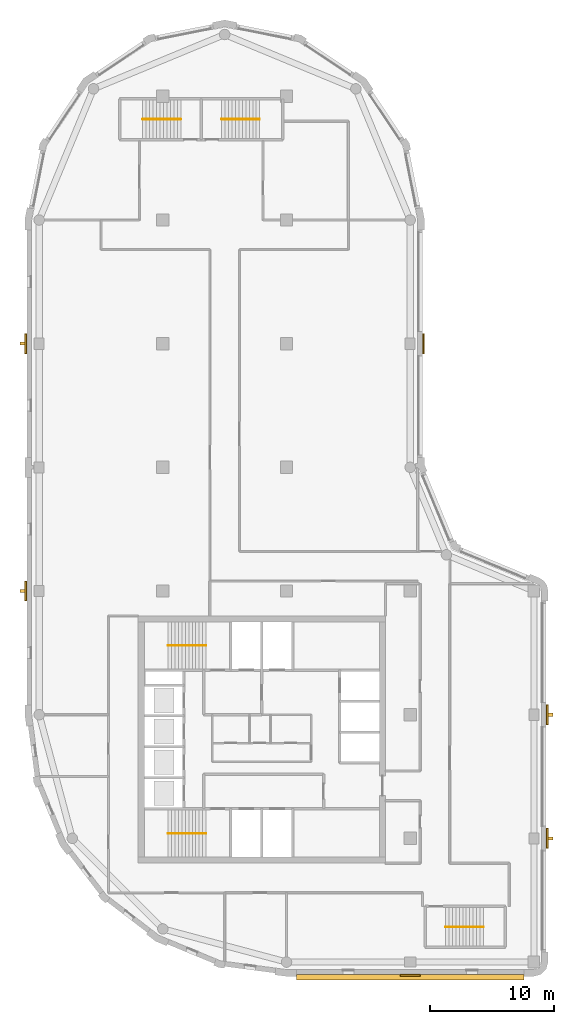
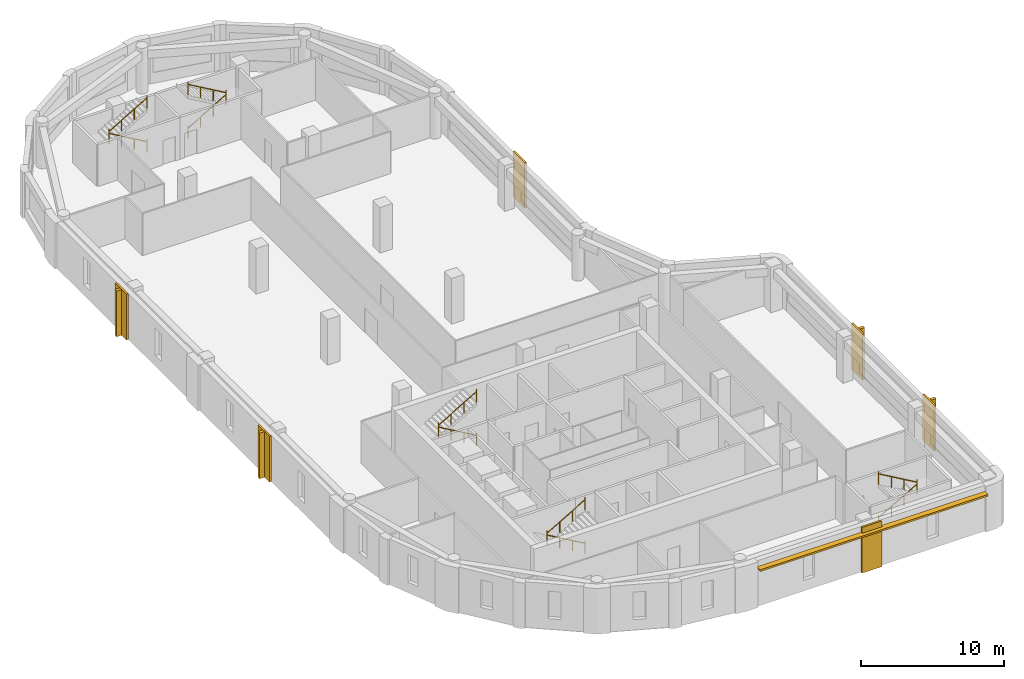
# One storey, part 7 of 8: 10 railings, 6 coverings, 5 shading devices.
"""IFC4 building model written with IfcOpenShell, lengths in metres."""

from ifc_helpers import new_model, si_unit, direction, frame, origin, origin_2d, place, context, subcontext, project, spatial, polyline, rectangle, circle, outline, extrude, material, layer, layer_set, type_object, element, save


model = new_model("IFC4")

# Units and contexts
model_context = context("Model", 3, precision=1e-05, world=origin(), true_north=direction((0.0, 1.0)))
body_context = subcontext(model_context, "Body", "Model", "MODEL_VIEW")
ifc_project = project(units=[si_unit("LENGTHUNIT", "METRE"), si_unit("AREAUNIT", "SQUARE_METRE"), si_unit("VOLUMEUNIT", "CUBIC_METRE"), si_unit("PLANEANGLEUNIT", "RADIAN"), si_unit("MASSUNIT", "GRAM", prefix="KILO")], contexts=[model_context])

# Site, building, storey
site_placement = place(None, origin())
site = spatial("IfcSite", under=ifc_project, at=site_placement, CompositionType="ELEMENT")
building_placement = place(site_placement, origin())
building = spatial("IfcBuilding", under=site, at=building_placement, Name="Qaws Garden Tower", CompositionType="ELEMENT")
storey_placement = place(building_placement, frame((0.0, 0.0, 282.60009765625)))
storey = spatial("IfcBuildingStorey", under=building, at=storey_placement, Name="L68", CompositionType="ELEMENT", Elevation=282.60009765625)

# Coverings
ifc_material_1 = material(Name="Clay facing brick masonry", Category="masonry")
ifc_layer_1 = layer(ifc_material_1, 0.14990234375)
ifc_layer_set_1 = layer_set([ifc_layer_1], Name="Clay facing brick masonry")
covering_type = type_object("IfcCoveringType", Name="Brick pilaster facing 150 x 1600", PredefinedType="CLADDING", material=ifc_layer_set_1)
placement = place(storey_placement, origin())
element("IfcCovering", 1, at=placement, inside=storey, type_object=covering_type, Name="E-L68-pier-01", PredefinedType="CLADDING", context=body_context, shape_type="SweptSolid", body=[
    extrude(outline(polyline([(29.199951171875, -1.0), (30.800048828125, -1.0), (30.800048828125, -1.14990234375), (29.199951171875, -1.14990234375), (29.199951171875, -1.0)])), origin(), (0.0, 0.0, 1.0), 3.89990234375),
])
element("IfcCovering", 2, at=placement, inside=storey, type_object=covering_type, Name="E-L68-pier-03", PredefinedType="CLADDING", context=body_context, shape_type="SweptSolid", body=[
    extrude(outline(polyline([(41.0, 9.199951171875), (41.0, 10.800048828125), (41.14990234375, 10.800048828125), (41.14990234375, 9.199951171875), (41.0, 9.199951171875)])), origin(), (0.0, 0.0, 1.0), 3.89990234375),
])
element("IfcCovering", 3, at=placement, inside=storey, type_object=covering_type, Name="E-L68-pier-04", PredefinedType="CLADDING", context=body_context, shape_type="SweptSolid", body=[
    extrude(outline(polyline([(41.0, 19.199951171875), (41.0, 20.800048828125), (41.14990234375, 20.800048828125), (41.14990234375, 19.199951171875), (41.0, 19.199951171875)])), origin(), (0.0, 0.0, 1.0), 3.89990234375),
])
element("IfcCovering", 4, at=placement, inside=storey, type_object=covering_type, Name="E-L68-pier-08", PredefinedType="CLADDING", context=body_context, shape_type="SweptSolid", body=[
    extrude(outline(polyline([(31.0, 49.199951171875), (31.0, 50.800048828125), (31.14990234375, 50.800048828125), (31.14990234375, 49.199951171875), (31.0, 49.199951171875)])), origin(), (0.0, 0.0, 1.0), 3.89990234375),
])
element("IfcCovering", 5, at=placement, inside=storey, type_object=covering_type, Name="E-L68-pier-18", PredefinedType="CLADDING", context=body_context, shape_type="SweptSolid", body=[
    extrude(outline(polyline([(-1.0, 50.800048828125), (-1.0, 49.199951171875), (-1.14990234375, 49.199951171875), (-1.14990234375, 50.800048828125), (-1.0, 50.800048828125)])), origin(), (0.0, 0.0, 1.0), 3.89990234375),
])
element("IfcCovering", 6, at=placement, inside=storey, type_object=covering_type, Name="E-L68-pier-20", PredefinedType="CLADDING", context=body_context, shape_type="SweptSolid", body=[
    extrude(outline(polyline([(-1.0, 30.800048828125), (-1.0, 29.199951171875), (-1.14990234375, 29.199951171875), (-1.14990234375, 30.800048828125), (-1.0, 30.800048828125)])), origin(), (0.0, 0.0, 1.0), 3.89990234375),
])

# Shading devices
ifc_material_2 = material(Name="Clay facing brick masonry", Category="masonry")
ifc_layer_2 = layer(ifc_material_2, 0.14990234375)
ifc_layer_set_2 = layer_set([ifc_layer_2], Name="Clay facing brick masonry")
shading_device_type_1 = type_object("IfcShadingDeviceType", Name="Brick sunshade band 450 x 150", PredefinedType="JALOUSIE", material=ifc_layer_set_2)
shading_device_placement = place(storey_placement, frame((0.0, 0.0, 3.25)))
element("IfcShadingDevice", 7, at=shading_device_placement, inside=storey, type_object=shading_device_type_1, Name="SUNSHADE 00", PredefinedType="JALOUSIE", context=body_context, shape_type="SweptSolid", body=[
    extrude(outline(polyline([(20.800048828125, -1.0), (20.800048828125, -1.449951171875), (39.199951171875, -1.449951171875), (39.199951171875, -1.0), (30.800048828125, -1.0), (30.800048828125, -1.14990234375), (29.199951171875, -1.14990234375), (29.199951171875, -1.0), (20.800048828125, -1.0)])), origin(), (0.0, 0.0, 1.0), 0.14990234375),
])
ifc_material_3 = material(Name="Clay facing brick masonry", Category="masonry")
ifc_layer_3 = layer(ifc_material_3, 0.25)
ifc_layer_set_3 = layer_set([ifc_layer_3], Name="Clay facing brick masonry")
shading_device_type_2 = type_object("IfcShadingDeviceType", Name="Brick-faced fin 250 x 400", PredefinedType="USERDEFINED", material=ifc_layer_set_3)
for number, where, z_axis, x_axis, name in (
    (8, (41.35009765625, 10.0, 0.0), (0.0, 0.0, 1.0), (0.0, 1.0, 0.0), "FIN 03"),
    (9, (41.35009765625, 20.0, 0.0), (0.0, 0.0, 1.0), (0.0, 1.0, 0.0), "FIN 04"),
    (10, (-1.35009765625, 50.0, 0.0), (0.0, 0.0, 1.0), (0.0, -1.0, 0.0), "FIN 18"),
    (11, (-1.35009765625, 30.0, 0.0), (0.0, 0.0, 1.0), (0.0, -1.0, 0.0), "FIN 20"),
):
    element("IfcShadingDevice", number, at=place(storey_placement, frame(where, z_axis=z_axis, x_axis=x_axis)), inside=storey, type_object=shading_device_type_2, Name=name, ObjectType="FIN", PredefinedType="USERDEFINED", context=body_context, shape_type="SweptSolid", body=[
        extrude(rectangle(XDim=0.25, YDim=0.39990234375, at=origin_2d()), origin(), (0.0, 0.0, 1.0), 3.89990234375),
    ])

# Railings
ifc_material_4 = material(Name="Steel S355", Category="steel")
railing_type = type_object("IfcRailingType", Name="Stair handrail 900", PredefinedType="HANDRAIL", material=ifc_material_4)
railing_1_placement = place(storey_placement, frame((13.5, 10.39990234375, 0.162353515625)))
element("IfcRailing", 12, at=railing_1_placement, inside=storey, type_object=railing_type, Name="Stair 1 handrail", PredefinedType="HANDRAIL", context=body_context, shape_type="SweptSolid", body=[
    extrude(circle(Radius=0.02392578125, at=origin_2d()), frame((0.0, 0.0, 0.8759765625), z_axis=(-0.864890721111, 0.0, 0.501960198159), x_axis=(0.0, -1.0, 0.0)), (0.0, 0.0, 1.0), 3.561279296875),
    extrude(circle(Radius=0.02099609375, at=origin_2d()), origin(), (0.0, 0.0, 1.0), 1.06201171875),
    extrude(circle(Radius=0.02099609375, at=origin_2d()), frame((-1.026611328125, 0.0, 0.595947265625)), (0.0, 0.0, 1.0), 0.851806640625),
    extrude(circle(Radius=0.02099609375, at=origin_2d()), frame((-2.053466796875, 0.0, 1.191650390625)), (0.0, 0.0, 1.0), 0.851806640625),
    extrude(circle(Radius=0.02099609375, at=origin_2d()), frame((-3.080078125, 0.0, 1.78759765625)), (0.0, 0.0, 1.0), 1.06201171875),
])
railing_2_placement = place(storey_placement, frame((10.419921875, 10.39990234375, 2.1123046875)))
element("IfcRailing", 13, at=railing_2_placement, inside=storey, type_object=railing_type, Name="Stair 1 handrail", PredefinedType="HANDRAIL", context=body_context, shape_type="SweptSolid", body=[
    extrude(circle(Radius=0.02392578125, at=origin_2d()), frame((0.0, 0.0, 0.8759765625), z_axis=(0.864890721111, 0.0, 0.501960198159), x_axis=(0.0, 1.0, 0.0)), (0.0, 0.0, 1.0), 3.561279296875),
    extrude(circle(Radius=0.02099609375, at=origin_2d()), origin(), (0.0, 0.0, 1.0), 1.06201171875),
    extrude(circle(Radius=0.02099609375, at=origin_2d()), frame((1.026611328125, 0.0, 0.595947265625)), (0.0, 0.0, 1.0), 0.851806640625),
    extrude(circle(Radius=0.02099609375, at=origin_2d()), frame((2.053466796875, 0.0, 1.191650390625)), (0.0, 0.0, 1.0), 0.851806640625),
    extrude(circle(Radius=0.02099609375, at=origin_2d()), frame((3.080078125, 0.0, 1.78759765625)), (0.0, 0.0, 1.0), 1.06201171875),
])
railing_3_placement = place(storey_placement, frame((13.5, 25.60009765625, 0.162353515625)))
element("IfcRailing", 14, at=railing_3_placement, inside=storey, type_object=railing_type, Name="Stair 4 handrail", PredefinedType="HANDRAIL", context=body_context, shape_type="SweptSolid", body=[
    extrude(circle(Radius=0.02392578125, at=origin_2d()), frame((0.0, 0.0, 0.8759765625), z_axis=(-0.864890721111, 0.0, 0.501960198159), x_axis=(0.0, -1.0, 0.0)), (0.0, 0.0, 1.0), 3.561279296875),
    extrude(circle(Radius=0.02099609375, at=origin_2d()), origin(), (0.0, 0.0, 1.0), 1.06201171875),
    extrude(circle(Radius=0.02099609375, at=origin_2d()), frame((-1.026611328125, 0.0, 0.595947265625)), (0.0, 0.0, 1.0), 0.851806640625),
    extrude(circle(Radius=0.02099609375, at=origin_2d()), frame((-2.053466796875, 0.0, 1.191650390625)), (0.0, 0.0, 1.0), 0.851806640625),
    extrude(circle(Radius=0.02099609375, at=origin_2d()), frame((-3.080078125, 0.0, 1.78759765625)), (0.0, 0.0, 1.0), 1.06201171875),
])
railing_4_placement = place(storey_placement, frame((10.419921875, 25.60009765625, 2.1123046875)))
element("IfcRailing", 15, at=railing_4_placement, inside=storey, type_object=railing_type, Name="Stair 4 handrail", PredefinedType="HANDRAIL", context=body_context, shape_type="SweptSolid", body=[
    extrude(circle(Radius=0.02392578125, at=origin_2d()), frame((0.0, 0.0, 0.8759765625), z_axis=(0.864890721111, 0.0, 0.501960198159), x_axis=(0.0, 1.0, 0.0)), (0.0, 0.0, 1.0), 3.561279296875),
    extrude(circle(Radius=0.02099609375, at=origin_2d()), origin(), (0.0, 0.0, 1.0), 1.06201171875),
    extrude(circle(Radius=0.02099609375, at=origin_2d()), frame((1.026611328125, 0.0, 0.595947265625)), (0.0, 0.0, 1.0), 0.851806640625),
    extrude(circle(Radius=0.02099609375, at=origin_2d()), frame((2.053466796875, 0.0, 1.191650390625)), (0.0, 0.0, 1.0), 0.851806640625),
    extrude(circle(Radius=0.02099609375, at=origin_2d()), frame((3.080078125, 0.0, 1.78759765625)), (0.0, 0.0, 1.0), 1.06201171875),
])
railing_5_placement = place(storey_placement, frame((32.85009765625, 2.85009765625, 0.162353515625)))
element("IfcRailing", 16, at=railing_5_placement, inside=storey, type_object=railing_type, Name="Stair 5 handrail", PredefinedType="HANDRAIL", context=body_context, shape_type="SweptSolid", body=[
    extrude(circle(Radius=0.02392578125, at=origin_2d()), frame((0.0, 0.0, 0.8759765625), z_axis=(0.864873446163, 0.0, 0.501989962173), x_axis=(0.0, 1.0, 0.0)), (0.0, 0.0, 1.0), 3.56103515625),
    extrude(circle(Radius=0.02099609375, at=origin_2d()), origin(), (0.0, 0.0, 1.0), 1.06201171875),
    extrude(circle(Radius=0.02099609375, at=origin_2d()), frame((1.026611328125, 0.0, 0.595947265625)), (0.0, 0.0, 1.0), 0.851806640625),
    extrude(circle(Radius=0.02099609375, at=origin_2d()), frame((2.05322265625, 0.0, 1.191650390625)), (0.0, 0.0, 1.0), 0.851806640625),
    extrude(circle(Radius=0.02099609375, at=origin_2d()), frame((3.079833984375, 0.0, 1.78759765625)), (0.0, 0.0, 1.0), 1.06201171875),
])
for number, where, name in (
    (17, (35.929931640625, 2.85009765625, 2.1123046875), "Stair 5 handrail"),
    (18, (11.449951171875, 68.14990234375, 0.162353515625), "Stair 6 handrail"),
):
    element("IfcRailing", number, at=place(storey_placement, frame(where)), inside=storey, type_object=railing_type, Name=name, PredefinedType="HANDRAIL", context=body_context, shape_type="SweptSolid", body=[
        extrude(circle(Radius=0.02392578125, at=origin_2d()), frame((0.0, 0.0, 0.8759765625), z_axis=(-0.864873446163, 0.0, 0.501989962173), x_axis=(0.0, -1.0, 0.0)), (0.0, 0.0, 1.0), 3.56103515625),
        extrude(circle(Radius=0.02099609375, at=origin_2d()), origin(), (0.0, 0.0, 1.0), 1.06201171875),
        extrude(circle(Radius=0.02099609375, at=origin_2d()), frame((-1.026611328125, 0.0, 0.595947265625)), (0.0, 0.0, 1.0), 0.851806640625),
        extrude(circle(Radius=0.02099609375, at=origin_2d()), frame((-2.05322265625, 0.0, 1.191650390625)), (0.0, 0.0, 1.0), 0.851806640625),
        extrude(circle(Radius=0.02099609375, at=origin_2d()), frame((-3.079833984375, 0.0, 1.78759765625)), (0.0, 0.0, 1.0), 1.06201171875),
    ])
railing_6_placement = place(storey_placement, frame((8.3701171875, 68.14990234375, 2.1123046875)))
element("IfcRailing", 19, at=railing_6_placement, inside=storey, type_object=railing_type, Name="Stair 6 handrail", PredefinedType="HANDRAIL", context=body_context, shape_type="SweptSolid", body=[
    extrude(circle(Radius=0.02392578125, at=origin_2d()), frame((0.0, 0.0, 0.8759765625), z_axis=(0.864873446163, 0.0, 0.501989962173), x_axis=(0.0, 1.0, 0.0)), (0.0, 0.0, 1.0), 3.56103515625),
    extrude(circle(Radius=0.02099609375, at=origin_2d()), origin(), (0.0, 0.0, 1.0), 1.06201171875),
    extrude(circle(Radius=0.02099609375, at=origin_2d()), frame((1.026611328125, 0.0, 0.595947265625)), (0.0, 0.0, 1.0), 0.851806640625),
    extrude(circle(Radius=0.02099609375, at=origin_2d()), frame((2.05322265625, 0.0, 1.191650390625)), (0.0, 0.0, 1.0), 0.851806640625),
    extrude(circle(Radius=0.02099609375, at=origin_2d()), frame((3.079833984375, 0.0, 1.78759765625)), (0.0, 0.0, 1.0), 1.06201171875),
])
railing_7_placement = place(storey_placement, frame((14.75, 68.14990234375, 0.162353515625)))
element("IfcRailing", 20, at=railing_7_placement, inside=storey, type_object=railing_type, Name="Stair 7 handrail", PredefinedType="HANDRAIL", context=body_context, shape_type="SweptSolid", body=[
    extrude(circle(Radius=0.02392578125, at=origin_2d()), frame((0.0, 0.0, 0.8759765625), z_axis=(0.864890721111, 0.0, 0.501960198159), x_axis=(0.0, 1.0, 0.0)), (0.0, 0.0, 1.0), 3.561279296875),
    extrude(circle(Radius=0.02099609375, at=origin_2d()), origin(), (0.0, 0.0, 1.0), 1.06201171875),
    extrude(circle(Radius=0.02099609375, at=origin_2d()), frame((1.026611328125, 0.0, 0.595947265625)), (0.0, 0.0, 1.0), 0.851806640625),
    extrude(circle(Radius=0.02099609375, at=origin_2d()), frame((2.053466796875, 0.0, 1.191650390625)), (0.0, 0.0, 1.0), 0.851806640625),
    extrude(circle(Radius=0.02099609375, at=origin_2d()), frame((3.080078125, 0.0, 1.78759765625)), (0.0, 0.0, 1.0), 1.06201171875),
])
railing_8_placement = place(storey_placement, frame((17.830078125, 68.14990234375, 2.1123046875)))
element("IfcRailing", 21, at=railing_8_placement, inside=storey, type_object=railing_type, Name="Stair 7 handrail", PredefinedType="HANDRAIL", context=body_context, shape_type="SweptSolid", body=[
    extrude(circle(Radius=0.02392578125, at=origin_2d()), frame((0.0, 0.0, 0.8759765625), z_axis=(-0.864890721111, 0.0, 0.501960198159), x_axis=(0.0, -1.0, 0.0)), (0.0, 0.0, 1.0), 3.561279296875),
    extrude(circle(Radius=0.02099609375, at=origin_2d()), origin(), (0.0, 0.0, 1.0), 1.06201171875),
    extrude(circle(Radius=0.02099609375, at=origin_2d()), frame((-1.026611328125, 0.0, 0.595947265625)), (0.0, 0.0, 1.0), 0.851806640625),
    extrude(circle(Radius=0.02099609375, at=origin_2d()), frame((-2.053466796875, 0.0, 1.191650390625)), (0.0, 0.0, 1.0), 0.851806640625),
    extrude(circle(Radius=0.02099609375, at=origin_2d()), frame((-3.080078125, 0.0, 1.78759765625)), (0.0, 0.0, 1.0), 1.06201171875),
])

save(model, "model.ifc")
